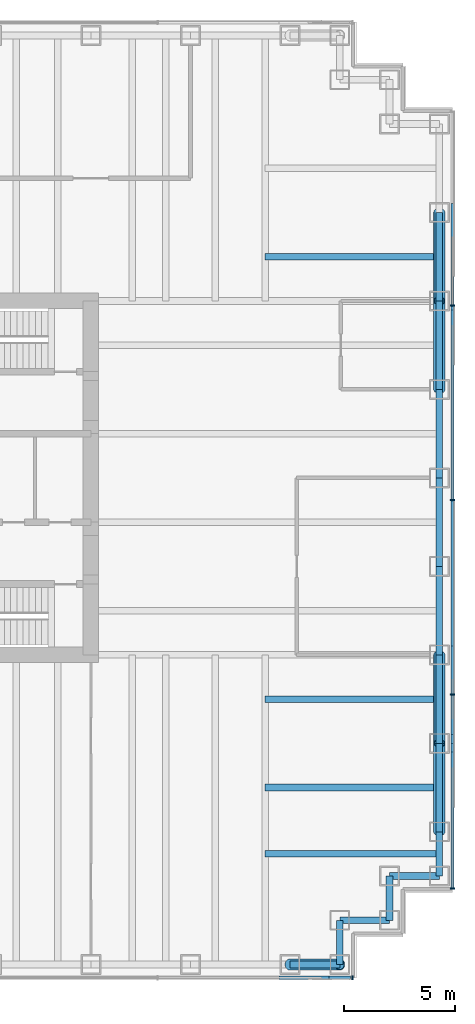
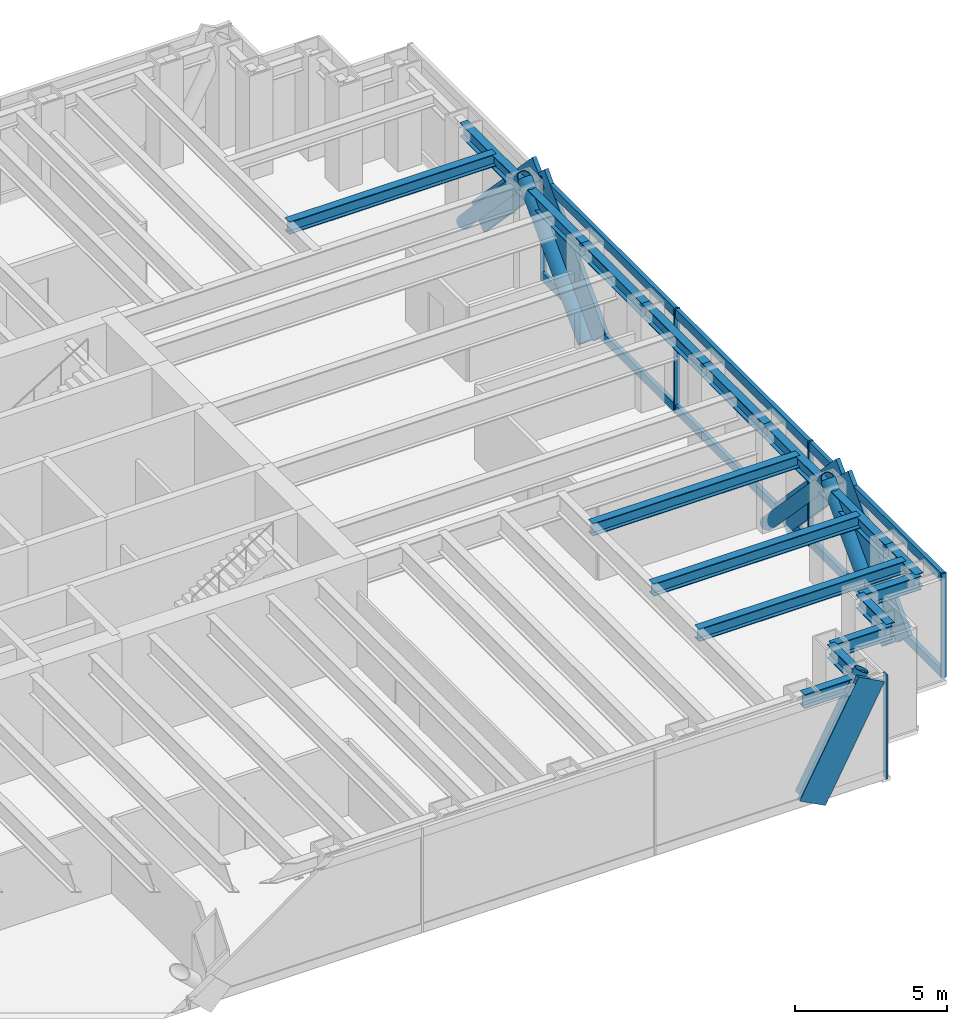
# One storey, part 8 of 17: 21 members, 17 beams, 2 elements without a shape of their own.
"""IFC4 building model written with IfcOpenShell, lengths in metres."""

from ifc_helpers import new_model, si_unit, direction, frame, origin, origin_2d, place, context, subcontext, project, spatial, rectangle, hollow_circle, i_section, extrude, material, material_profile, profile_set, type_object, element, aggregate, save


model = new_model("IFC4")

# Units and contexts
model_context = context("Model", 3, precision=1e-05, world=origin(), true_north=direction((0.0, 1.0)))
body_context = subcontext(model_context, "Body", "Model", "MODEL_VIEW")
ifc_project = project(units=[si_unit("LENGTHUNIT", "METRE"), si_unit("AREAUNIT", "SQUARE_METRE"), si_unit("VOLUMEUNIT", "CUBIC_METRE"), si_unit("PLANEANGLEUNIT", "RADIAN"), si_unit("MASSUNIT", "GRAM", prefix="KILO")], contexts=[model_context])

# Site, building, storey
site_placement = place(None, origin())
site = spatial("IfcSite", under=ifc_project, at=site_placement, CompositionType="ELEMENT")
building_placement = place(site_placement, origin())
building = spatial("IfcBuilding", under=site, at=building_placement, Name="Rheinbord Bourse Tower", CompositionType="ELEMENT")
storey_placement = place(building_placement, frame((0.0, 0.0, 300.5)))
storey = spatial("IfcBuildingStorey", under=building, at=storey_placement, Name="L68", CompositionType="ELEMENT", Elevation=300.5)

# Curtain wall, member
ifc_material_1 = material(Name="Dark glass and black aluminium", Category="aluminium")
curtain_wall_type = type_object("IfcCurtainWallType", Name="CW3 DARK GLASS CURTAIN WALL", PredefinedType="USERDEFINED", material=ifc_material_1)
curtain_wall_1_placement = place(storey_placement, origin())
curtain_wall_1 = element("IfcCurtainWall", 1, at=curtain_wall_1_placement, inside=storey, type_object=curtain_wall_type, Name="Curtain wall CW3 S L68", ObjectType="UNITISED CURTAIN WALL", PredefinedType="USERDEFINED")
ifc_material_2 = material(Name="Black anodised aluminium", Category="aluminium")
ifc_material_profile_1 = material_profile(ifc_material_2, rectangle(XDim=0.14990234375, YDim=1.10791015625, at=origin_2d()), Name="CW3 DIAGONAL MULLION 1108x150")
ifc_profile_set_1 = profile_set([ifc_material_profile_1], Name="Black anodised aluminium")
member_type_1 = type_object("IfcMemberType", Name="CW3 BLACK DIAGONAL MULLION", PredefinedType="USERDEFINED", material=ifc_profile_set_1)
member_1_placement = place(storey_placement, frame((63.0, 1.39990234375, 0.0), z_axis=(0.472225678258, 0.0, 0.881477684796), x_axis=(0.0, 1.0, 0.0)))
member_1 = element("IfcMember", 2, at=member_1_placement, type_object=member_type_1, Name="CW3 diagonal mullion a", ObjectType="DIAGONAL MULLION", PredefinedType="USERDEFINED", context=body_context, shape_type="SweptSolid", body=[
    extrude(rectangle(XDim=0.14990234375, YDim=1.10791015625, at=origin_2d()), origin(), (0.0, 0.0, 1.0), 4.7646484375),
])

# Curtain wall, members
curtain_wall_2_placement = place(storey_placement, origin())
curtain_wall_2 = element("IfcCurtainWall", 3, at=curtain_wall_2_placement, inside=storey, type_object=curtain_wall_type, Name="Curtain wall CW3 E L68", ObjectType="UNITISED CURTAIN WALL", PredefinedType="USERDEFINED")
member_2_placement = place(storey_placement, frame((70.35009765625, 16.0, 0.0), z_axis=(0.0, -0.689659376744, 0.724133926887), x_axis=(1.0, 0.0, 0.0)))
member_2 = element("IfcMember", 4, at=member_2_placement, type_object=member_type_1, Name="CW3 diagonal mullion a", ObjectType="DIAGONAL MULLION", PredefinedType="USERDEFINED", context=body_context, shape_type="SweptSolid", body=[
    extrude(rectangle(XDim=0.14990234375, YDim=1.10791015625, at=origin_2d()), origin(), (0.0, 0.0, 1.0), 5.800048828125),
])
member_3_placement = place(storey_placement, frame((70.35009765625, 28.0, 0.0), z_axis=(0.0, 0.689659376744, 0.724133926887), x_axis=(-1.0, 0.0, 0.0)))
member_3 = element("IfcMember", 5, at=member_3_placement, type_object=member_type_1, Name="CW3 diagonal mullion b", ObjectType="DIAGONAL MULLION", PredefinedType="USERDEFINED", context=body_context, shape_type="SweptSolid", body=[
    extrude(rectangle(XDim=0.14990234375, YDim=1.10791015625, at=origin_2d()), origin(), (0.0, 0.0, 1.0), 5.800048828125),
])
member_4_placement = place(storey_placement, frame((70.35009765625, 8.0, 0.0), z_axis=(0.0, 0.689659376744, 0.724133926887), x_axis=(-1.0, 0.0, 0.0)))
member_4 = element("IfcMember", 6, at=member_4_placement, type_object=member_type_1, Name="CW3 diagonal mullion c", ObjectType="DIAGONAL MULLION", PredefinedType="USERDEFINED", context=body_context, shape_type="SweptSolid", body=[
    extrude(rectangle(XDim=0.14990234375, YDim=1.10791015625, at=origin_2d()), origin(), (0.0, 0.0, 1.0), 5.800048828125),
])
member_5_placement = place(storey_placement, frame((70.35009765625, 36.0, 0.0), z_axis=(0.0, -0.689659376744, 0.724133926887), x_axis=(1.0, 0.0, 0.0)))
member_5 = element("IfcMember", 7, at=member_5_placement, type_object=member_type_1, Name="CW3 diagonal mullion d", ObjectType="DIAGONAL MULLION", PredefinedType="USERDEFINED", context=body_context, shape_type="SweptSolid", body=[
    extrude(rectangle(XDim=0.14990234375, YDim=1.10791015625, at=origin_2d()), origin(), (0.0, 0.0, 1.0), 5.800048828125),
])

# Member
ifc_material_3 = material(Name="Black anodised aluminium", Category="aluminium")
ifc_material_profile_2 = material_profile(ifc_material_3, rectangle(XDim=0.199951171875, YDim=0.06494140625, at=origin_2d()), Name="CW3 MULLION 65x200")
ifc_profile_set_2 = profile_set([ifc_material_profile_2], Name="Black anodised aluminium")
member_type_2 = type_object("IfcMemberType", Name="CW3 BLACK MULLION", PredefinedType="MULLION", material=ifc_profile_set_2)
member_6_placement = place(storey_placement, frame((65.8173828125, 1.39990234375, 0.0), z_axis=(0.0, 0.0, 1.0), x_axis=(0.0, 1.0, 0.0)))
member_6 = element("IfcMember", 8, at=member_6_placement, type_object=member_type_2, Name="CW3 mullion 8", PredefinedType="MULLION", context=body_context, shape_type="SweptSolid", body=[
    extrude(rectangle(XDim=0.199951171875, YDim=0.06494140625, at=origin_2d()), origin(), (0.0, 0.0, 1.0), 4.199951171875),
])

aggregate(curtain_wall_1, [member_6, member_1])

member_7_placement = place(storey_placement, frame((70.35009765625, 5.4326171875, 0.0), z_axis=(0.0, 0.0, 1.0), x_axis=(-1.0, 0.0, 0.0)))
member_7 = element("IfcMember", 9, at=member_7_placement, type_object=member_type_2, Name="CW3 mullion 1", PredefinedType="MULLION", context=body_context, shape_type="SweptSolid", body=[
    extrude(rectangle(XDim=0.199951171875, YDim=0.06494140625, at=origin_2d()), origin(), (0.0, 0.0, 1.0), 4.199951171875),
])

member_8_placement = place(storey_placement, frame((70.35009765625, 14.199951171875, 0.0), z_axis=(0.0, 0.0, 1.0), x_axis=(-1.0, 0.0, 0.0)))
member_8 = element("IfcMember", 10, at=member_8_placement, type_object=member_type_2, Name="CW3 mullion 2", PredefinedType="MULLION", context=body_context, shape_type="SweptSolid", body=[
    extrude(rectangle(XDim=0.199951171875, YDim=0.06494140625, at=origin_2d()), origin(), (0.0, 0.0, 1.0), 4.199951171875),
])

member_9_placement = place(storey_placement, frame((70.35009765625, 23.0, 0.0), z_axis=(0.0, 0.0, 1.0), x_axis=(-1.0, 0.0, 0.0)))
member_9 = element("IfcMember", 11, at=member_9_placement, type_object=member_type_2, Name="CW3 mullion 3", PredefinedType="MULLION", context=body_context, shape_type="SweptSolid", body=[
    extrude(rectangle(XDim=0.199951171875, YDim=0.06494140625, at=origin_2d()), origin(), (0.0, 0.0, 1.0), 4.199951171875),
])

member_10_placement = place(storey_placement, frame((70.35009765625, 31.800048828125, 0.0), z_axis=(0.0, 0.0, 1.0), x_axis=(-1.0, 0.0, 0.0)))
member_10 = element("IfcMember", 12, at=member_10_placement, type_object=member_type_2, Name="CW3 mullion 4", PredefinedType="MULLION", context=body_context, shape_type="SweptSolid", body=[
    extrude(rectangle(XDim=0.199951171875, YDim=0.06494140625, at=origin_2d()), origin(), (0.0, 0.0, 1.0), 4.199951171875),
])

ifc_material_4 = material(Name="Black anodised aluminium", Category="aluminium")
ifc_material_profile_3 = material_profile(ifc_material_4, rectangle(XDim=0.14990234375, YDim=0.35009765625, at=origin_2d()), Name="CW3 TRANSOM 350x150")
ifc_profile_set_3 = profile_set([ifc_material_profile_3], Name="Black anodised aluminium")
member_type_3 = type_object("IfcMemberType", Name="CW3 BLACK TRANSOM", PredefinedType="USERDEFINED", material=ifc_profile_set_3)
member_11_placement = place(storey_placement, frame((70.35009765625, 5.465087890625, 0.175048828125), z_axis=(0.0, 1.0, 0.0), x_axis=(-1.0, 0.0, 0.0)))
member_11 = element("IfcMember", 13, at=member_11_placement, type_object=member_type_3, Name="CW3 transom 1.1", ObjectType="TRANSOM", PredefinedType="USERDEFINED", context=body_context, shape_type="SweptSolid", body=[
    extrude(rectangle(XDim=0.14990234375, YDim=0.35009765625, at=origin_2d()), origin(), (0.0, 0.0, 1.0), 8.702392578125),
])

member_12_placement = place(storey_placement, frame((70.35009765625, 5.465087890625, 4.02490234375), z_axis=(0.0, 1.0, 0.0), x_axis=(-1.0, 0.0, 0.0)))
member_12 = element("IfcMember", 14, at=member_12_placement, type_object=member_type_3, Name="CW3 transom 1.2", ObjectType="TRANSOM", PredefinedType="USERDEFINED", context=body_context, shape_type="SweptSolid", body=[
    extrude(rectangle(XDim=0.14990234375, YDim=0.35009765625, at=origin_2d()), origin(), (0.0, 0.0, 1.0), 8.702392578125),
])

member_13_placement = place(storey_placement, frame((70.35009765625, 14.232421875, 0.175048828125), z_axis=(0.0, 1.0, 0.0), x_axis=(-1.0, 0.0, 0.0)))
member_13 = element("IfcMember", 15, at=member_13_placement, type_object=member_type_3, Name="CW3 transom 2.1", ObjectType="TRANSOM", PredefinedType="USERDEFINED", context=body_context, shape_type="SweptSolid", body=[
    extrude(rectangle(XDim=0.14990234375, YDim=0.35009765625, at=origin_2d()), origin(), (0.0, 0.0, 1.0), 8.735107421875),
])

member_14_placement = place(storey_placement, frame((70.35009765625, 14.232421875, 4.02490234375), z_axis=(0.0, 1.0, 0.0), x_axis=(-1.0, 0.0, 0.0)))
member_14 = element("IfcMember", 16, at=member_14_placement, type_object=member_type_3, Name="CW3 transom 2.2", ObjectType="TRANSOM", PredefinedType="USERDEFINED", context=body_context, shape_type="SweptSolid", body=[
    extrude(rectangle(XDim=0.14990234375, YDim=0.35009765625, at=origin_2d()), origin(), (0.0, 0.0, 1.0), 8.735107421875),
])

member_15_placement = place(storey_placement, frame((70.35009765625, 23.032470703125, 0.175048828125), z_axis=(0.0, 1.0, 0.0), x_axis=(-1.0, 0.0, 0.0)))
member_15 = element("IfcMember", 17, at=member_15_placement, type_object=member_type_3, Name="CW3 transom 3.1", ObjectType="TRANSOM", PredefinedType="USERDEFINED", context=body_context, shape_type="SweptSolid", body=[
    extrude(rectangle(XDim=0.14990234375, YDim=0.35009765625, at=origin_2d()), origin(), (0.0, 0.0, 1.0), 8.735107421875),
])

member_16_placement = place(storey_placement, frame((70.35009765625, 23.032470703125, 4.02490234375), z_axis=(0.0, 1.0, 0.0), x_axis=(-1.0, 0.0, 0.0)))
member_16 = element("IfcMember", 18, at=member_16_placement, type_object=member_type_3, Name="CW3 transom 3.2", ObjectType="TRANSOM", PredefinedType="USERDEFINED", context=body_context, shape_type="SweptSolid", body=[
    extrude(rectangle(XDim=0.14990234375, YDim=0.35009765625, at=origin_2d()), origin(), (0.0, 0.0, 1.0), 8.735107421875),
])

aggregate(curtain_wall_2, [member_7, member_8, member_9, member_10, member_11, member_12, member_13, member_14, member_15, member_16, member_2, member_3, member_4, member_5])

# Members
ifc_material_5 = material(Name="Steel S460", Category="steel")
ifc_material_profile_4 = material_profile(ifc_material_5, hollow_circle(Radius=0.25390625, WallThickness=0.030029296875, at=origin_2d()), Name="CHS 508x30")
ifc_profile_set_4 = profile_set([ifc_material_profile_4], Name="Steel S460")
member_type_4 = type_object("IfcMemberType", Name="MEGABRACE CHS 508x30", PredefinedType="BRACE", material=ifc_profile_set_4)
member_17_placement = place(storey_placement, frame((63.0, 2.0, 0.0), z_axis=(0.472225678258, 0.0, 0.881477684796), x_axis=(0.0, 1.0, 0.0)))
element("IfcMember", 19, at=member_17_placement, inside=storey, type_object=member_type_4, Name="Megabrace S face line a L68", PredefinedType="BRACE", context=body_context, shape_type="SweptSolid", body=[
    extrude(hollow_circle(Radius=0.25390625, WallThickness=0.030029296875, at=origin_2d()), origin(), (0.0, 0.0, 1.0), 4.7646484375),
])
for number, where, z_axis, x_axis, name in (
    (20, (69.75, 16.0, 0.0), (0.0, -0.689659376744, 0.724133926887), (1.0, 0.0, 0.0), "Megabrace E face line a L68"),
    (21, (69.75, 28.0, 0.0), (0.0, 0.689659376744, 0.724133926887), (-1.0, 0.0, 0.0), "Megabrace E face line b L68"),
    (22, (69.75, 8.0, 0.0), (0.0, 0.689659376744, 0.724133926887), (-1.0, 0.0, 0.0), "Megabrace E face line c L68"),
    (23, (69.75, 36.0, 0.0), (0.0, -0.689659376744, 0.724133926887), (1.0, 0.0, 0.0), "Megabrace E face line d L68"),
):
    element("IfcMember", number, at=place(storey_placement, frame(where, z_axis=z_axis, x_axis=x_axis)), inside=storey, type_object=member_type_4, Name=name, PredefinedType="BRACE", context=body_context, shape_type="SweptSolid", body=[
        extrude(hollow_circle(Radius=0.25390625, WallThickness=0.030029296875, at=origin_2d()), origin(), (0.0, 0.0, 1.0), 5.800048828125),
    ])

# Beams
ifc_material_6 = material(Name="Steel S460", Category="steel")
ifc_material_profile_5 = material_profile(ifc_material_6, i_section(OverallWidth=0.300048828125, OverallDepth=0.550048828125, WebThickness=0.014892578125, FlangeThickness=0.029052734375, at=origin_2d()), Name="HEB 550")
ifc_profile_set_5 = profile_set([ifc_material_profile_5], Name="Steel S460")
beam_type_1 = type_object("IfcBeamType", Name="SPANDREL HEB 550", PredefinedType="SPANDREL", material=ifc_profile_set_5)
beam_1_placement = place(storey_placement, frame((63.0, 2.0, 3.764892578125), z_axis=(1.0, 0.0, 0.0), x_axis=(0.0, 1.0, 0.0)))
element("IfcBeam", 24, at=beam_1_placement, inside=storey, type_object=beam_type_1, Name="Spandrel S-63-SE-E under L69", PredefinedType="SPANDREL", context=body_context, shape_type="SweptSolid", body=[
    extrude(i_section(OverallWidth=0.300048828125, OverallDepth=0.550048828125, WebThickness=0.014892578125, FlangeThickness=0.029052734375, at=origin_2d()), origin(), (0.0, 0.0, 1.0), 2.25),
])
beam_2_placement = place(storey_placement, frame((65.25, 2.0, 3.764892578125), z_axis=(0.0, 1.0, 0.0), x_axis=(-1.0, 0.0, 0.0)))
element("IfcBeam", 25, at=beam_2_placement, inside=storey, type_object=beam_type_1, Name="Spandrel SE-E-SE-D under L69", PredefinedType="SPANDREL", context=body_context, shape_type="SweptSolid", body=[
    extrude(i_section(OverallWidth=0.300048828125, OverallDepth=0.550048828125, WebThickness=0.014892578125, FlangeThickness=0.029052734375, at=origin_2d()), origin(), (0.0, 0.0, 1.0), 2.0),
])
beam_3_placement = place(storey_placement, frame((65.25, 4.0, 3.764892578125), z_axis=(1.0, 0.0, 0.0), x_axis=(0.0, 1.0, 0.0)))
element("IfcBeam", 26, at=beam_3_placement, inside=storey, type_object=beam_type_1, Name="Spandrel SE-D-SE-C under L69", PredefinedType="SPANDREL", context=body_context, shape_type="SweptSolid", body=[
    extrude(i_section(OverallWidth=0.300048828125, OverallDepth=0.550048828125, WebThickness=0.014892578125, FlangeThickness=0.029052734375, at=origin_2d()), origin(), (0.0, 0.0, 1.0), 2.25),
])
beam_4_placement = place(storey_placement, frame((67.5, 4.0, 3.764892578125), z_axis=(0.0, 1.0, 0.0), x_axis=(-1.0, 0.0, 0.0)))
element("IfcBeam", 27, at=beam_4_placement, inside=storey, type_object=beam_type_1, Name="Spandrel SE-C-SE-B under L69", PredefinedType="SPANDREL", context=body_context, shape_type="SweptSolid", body=[
    extrude(i_section(OverallWidth=0.300048828125, OverallDepth=0.550048828125, WebThickness=0.014892578125, FlangeThickness=0.029052734375, at=origin_2d()), origin(), (0.0, 0.0, 1.0), 2.0),
])
beam_5_placement = place(storey_placement, frame((67.5, 6.0, 3.764892578125), z_axis=(1.0, 0.0, 0.0), x_axis=(0.0, 1.0, 0.0)))
element("IfcBeam", 28, at=beam_5_placement, inside=storey, type_object=beam_type_1, Name="Spandrel SE-B-SE-A under L69", PredefinedType="SPANDREL", context=body_context, shape_type="SweptSolid", body=[
    extrude(i_section(OverallWidth=0.300048828125, OverallDepth=0.550048828125, WebThickness=0.014892578125, FlangeThickness=0.029052734375, at=origin_2d()), origin(), (0.0, 0.0, 1.0), 2.25),
])
beam_6_placement = place(storey_placement, frame((69.75, 6.0, 3.764892578125), z_axis=(0.0, 1.0, 0.0), x_axis=(-1.0, 0.0, 0.0)))
element("IfcBeam", 29, at=beam_6_placement, inside=storey, type_object=beam_type_1, Name="Spandrel SE-A-E-8 under L69", PredefinedType="SPANDREL", context=body_context, shape_type="SweptSolid", body=[
    extrude(i_section(OverallWidth=0.300048828125, OverallDepth=0.550048828125, WebThickness=0.014892578125, FlangeThickness=0.029052734375, at=origin_2d()), origin(), (0.0, 0.0, 1.0), 2.0),
])
for number, where, z_axis, x_axis, name in (
    (30, (69.75, 8.0, 3.764892578125), (0.0, 1.0, 0.0), (-1.0, 0.0, 0.0), "Spandrel E-8-E-12 under L69"),
    (31, (69.75, 12.0, 3.764892578125), (0.0, 1.0, 0.0), (-1.0, 0.0, 0.0), "Spandrel E-12-E-16 under L69"),
    (32, (69.75, 16.0, 3.764892578125), (0.0, 1.0, 0.0), (-1.0, 0.0, 0.0), "Spandrel E-16-E-20 under L69"),
    (33, (69.75, 20.0, 3.764892578125), (0.0, 1.0, 0.0), (-1.0, 0.0, 0.0), "Spandrel E-20-E-24 under L69"),
    (34, (69.75, 24.0, 3.764892578125), (0.0, 1.0, 0.0), (-1.0, 0.0, 0.0), "Spandrel E-24-E-28 under L69"),
    (35, (69.75, 28.0, 3.764892578125), (0.0, 1.0, 0.0), (-1.0, 0.0, 0.0), "Spandrel E-28-E-32 under L69"),
    (36, (69.75, 32.0, 3.764892578125), (0.0, 1.0, 0.0), (-1.0, 0.0, 0.0), "Spandrel E-32-E-36 under L69"),
):
    element("IfcBeam", number, at=place(storey_placement, frame(where, z_axis=z_axis, x_axis=x_axis)), inside=storey, type_object=beam_type_1, Name=name, PredefinedType="SPANDREL", context=body_context, shape_type="SweptSolid", body=[
        extrude(i_section(OverallWidth=0.300048828125, OverallDepth=0.550048828125, WebThickness=0.014892578125, FlangeThickness=0.029052734375, at=origin_2d()), origin(), (0.0, 0.0, 1.0), 4.0),
    ])
ifc_material_7 = material(Name="Steel S460", Category="steel")
ifc_material_profile_6 = material_profile(ifc_material_7, i_section(OverallWidth=0.300048828125, OverallDepth=0.5, WebThickness=0.014404296875, FlangeThickness=0.028076171875, at=origin_2d()), Name="HEB 500")
ifc_profile_set_6 = profile_set([ifc_material_profile_6], Name="Steel S460")
beam_type_2 = type_object("IfcBeamType", Name="TIE BEAM HEB 500", PredefinedType="JOIST", material=ifc_profile_set_6)
for number, where, z_axis, x_axis, name in (
    (37, (61.875, 7.0, 3.7900390625), (1.0, 0.0, 0.0), (0.0, 1.0, 0.0), "Tie east 7 L69"),
    (38, (61.875, 10.0, 3.7900390625), (1.0, 0.0, 0.0), (0.0, 1.0, 0.0), "Tie east 10 L69"),
    (39, (61.875, 14.0, 3.7900390625), (1.0, 0.0, 0.0), (0.0, 1.0, 0.0), "Tie east 14 L69"),
    (40, (61.875, 34.0, 3.7900390625), (1.0, 0.0, 0.0), (0.0, 1.0, 0.0), "Tie east 34 L69"),
):
    element("IfcBeam", number, at=place(storey_placement, frame(where, z_axis=z_axis, x_axis=x_axis)), inside=storey, type_object=beam_type_2, Name=name, PredefinedType="JOIST", context=body_context, shape_type="SweptSolid", body=[
        extrude(i_section(OverallWidth=0.300048828125, OverallDepth=0.5, WebThickness=0.014404296875, FlangeThickness=0.028076171875, at=origin_2d()), origin(), (0.0, 0.0, 1.0), 7.875),
    ])

save(model, "model.ifc")
